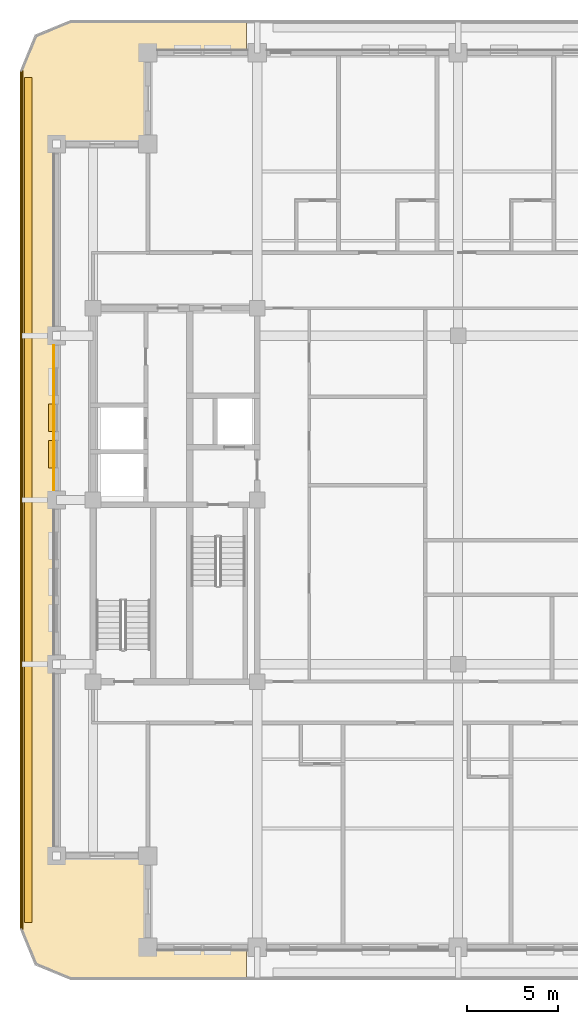
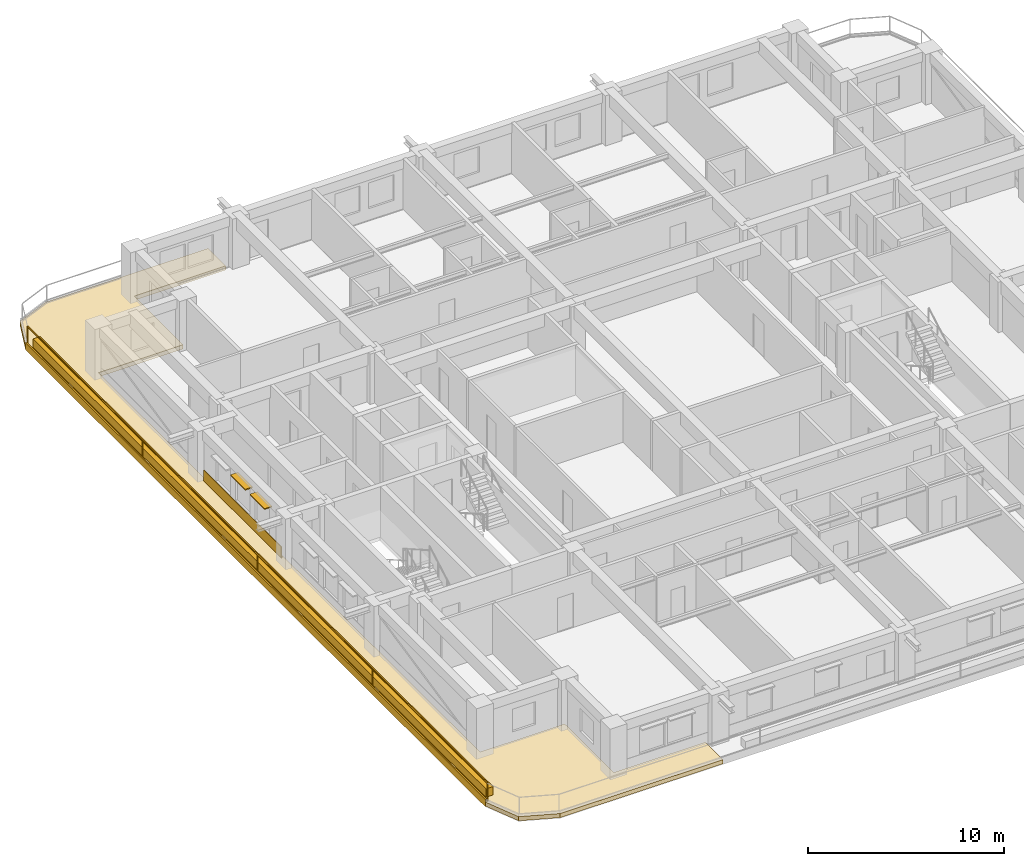
# One storey, part 10 of 14: 4 coverings, 2 shading devices, 1 railing.
"""IFC4 building model written with IfcOpenShell, lengths in metres."""

from ifc_helpers import new_model, si_unit, direction, frame, frame_2d, origin, origin_2d, place, context, subcontext, project, spatial, polyline, rectangle, outline, extrude, material, layer, layer_set, type_object, element, save


model = new_model("IFC4")

# Units and contexts
model_context = context("Model", 3, precision=1e-05, world=origin(), true_north=direction((0.0, 1.0)))
body_context = subcontext(model_context, "Body", "Model", "MODEL_VIEW")
ifc_project = project(units=[si_unit("LENGTHUNIT", "METRE"), si_unit("AREAUNIT", "SQUARE_METRE"), si_unit("VOLUMEUNIT", "CUBIC_METRE"), si_unit("PLANEANGLEUNIT", "RADIAN"), si_unit("MASSUNIT", "GRAM", prefix="KILO")], contexts=[model_context])

# Site, building, storey
site_placement = place(None, origin())
site = spatial("IfcSite", under=ifc_project, at=site_placement, CompositionType="ELEMENT")
building_placement = place(site_placement, origin())
building = spatial("IfcBuilding", under=site, at=building_placement, Name="Zulmaris Gate Convention Tower", CompositionType="ELEMENT")
storey_placement = place(building_placement, frame((0.0, 0.0, 179.659912109375)))
storey = spatial("IfcBuildingStorey", under=building, at=storey_placement, Name="L46", CompositionType="ELEMENT", Elevation=179.659912109375)

# Coverings
ifc_material_1 = material(Name="Precast concrete C40/50", Category="concrete")
ifc_layer_1 = layer(ifc_material_1, 0.0400390625, Name="Precast concrete C40/50")
ifc_layer_set_1 = layer_set([ifc_layer_1], Name="Precast concrete C40/50")
covering_type_1 = type_object("IfcCoveringType", Name="CLAD-SPANDREL-PRECAST", PredefinedType="CLADDING", material=ifc_layer_set_1)
covering_1_placement = place(storey_placement, frame((-22.14990234375, 8.469970703125, 0.0), z_axis=(0.0, 0.0, 1.0), x_axis=(0.0, -1.0, 0.0)))
element("IfcCovering", 1, at=covering_1_placement, inside=storey, type_object=covering_type_1, Name="CLD-L46-W-2_0", PredefinedType="CLADDING", context=body_context, shape_type="SweptSolid", body=[
    extrude(rectangle(XDim=7.93994140625, YDim=0.0400390625, at=frame_2d((3.969970703125, 0.0))), origin(), (0.0, 0.0, 1.0), 0.679931640625),
])
ifc_material_2 = material(Name="White Glazed Architectural Precast Concrete C40/50", Category="concrete")
ifc_layer_2 = layer(ifc_material_2, 0.239990234375, Name="White Glazed Architectural Precast Concrete C40/50")
ifc_layer_set_2 = layer_set([ifc_layer_2], Name="White Glazed Architectural Precast Concrete C40/50")
covering_type_2 = type_object("IfcCoveringType", Name="CLAD-TRAY-DECK", PredefinedType="CLADDING", material=ifc_layer_set_2)
covering_2_placement = place(storey_placement, frame((0.0, 0.0, -0.27490234375)))
element("IfcCovering", 2, at=covering_2_placement, inside=storey, type_object=covering_type_2, Name="L46 West Rounded-Fascia Planter Tray Deck", PredefinedType="CLADDING", context=body_context, shape_type="SweptSolid", body=[
    extrude(outline(polyline([(-24.0, 23.5), (-23.179931640625, 25.47998046875), (-21.199951171875, 26.300048828125), (-11.60205078125, 26.300048828125), (-11.60205078125, 24.5), (-17.0, 24.5), (-17.0, 19.5), (-22.0, 19.5), (-22.0, -19.5), (-17.0, -19.5), (-17.0, -24.5), (-11.60205078125, -24.5), (-11.60205078125, -26.300048828125), (-21.199951171875, -26.300048828125), (-23.179931640625, -25.47998046875), (-24.0, -23.5), (-24.0, 23.5)])), origin(), (0.0, 0.0, 1.0), 0.260009765625),
])
ifc_layer_3 = layer(ifc_material_2, 0.080078125, Name="White Glazed Architectural Precast Concrete C40/50")
ifc_layer_set_3 = layer_set([ifc_layer_3], Name="White Glazed Architectural Precast Concrete C40/50")
covering_type_3 = type_object("IfcCoveringType", Name="CLAD-TRAY-FASCIA", PredefinedType="CLADDING", material=ifc_layer_set_3)
covering_3_placement = place(storey_placement, frame((-23.9599609375, 23.5, -0.31494140625), z_axis=(0.0, 0.0, 1.0), x_axis=(0.0, -1.0, 0.0)))
element("IfcCovering", 3, at=covering_3_placement, inside=storey, type_object=covering_type_3, Name="FSC-L46-TR-11", PredefinedType="CLADDING", context=body_context, shape_type="SweptSolid", body=[
    extrude(rectangle(XDim=47.0, YDim=0.080078125, at=frame_2d((23.5, 0.0))), origin(), (0.0, 0.0, 1.0), 0.4599609375),
])
ifc_material_3 = material(Name="Botanical Green Glazed Precast Concrete C40/50", Category="concrete")
ifc_layer_4 = layer(ifc_material_3, 0.419921875, Name="Botanical Green Glazed Precast Concrete C40/50")
ifc_layer_set_4 = layer_set([ifc_layer_4], Name="Botanical Green Glazed Precast Concrete C40/50")
covering_type_4 = type_object("IfcCoveringType", Name="PLANTER-BOX-200", PredefinedType="CLADDING", material=ifc_layer_set_4)
covering_4_placement = place(storey_placement, frame((0.0, 0.0, -0.014892578125)))
element("IfcCovering", 4, at=covering_4_placement, inside=storey, type_object=covering_type_4, Name="L46 W Full-Length Balcony Tree Planter Trough", PredefinedType="CLADDING", context=body_context, shape_type="SweptSolid", body=[
    extrude(outline(polyline([(-23.760009765625, -23.14990234375), (-23.340087890625, -23.14990234375), (-23.340087890625, 23.14990234375), (-23.760009765625, 23.14990234375), (-23.760009765625, -23.14990234375)])), origin(), (0.0, 0.0, 1.0), 0.519775390625),
])

# Railing
ifc_material_4 = material(Name="Laminated Glass and Stainless Steel", Category="steel")
railing_type = type_object("IfcRailingType", Name="RL-BALC-1150", PredefinedType="BALUSTRADE", material=ifc_material_4)
railing_placement = place(storey_placement, frame((-23.8798828125, 23.5, -0.014892578125)))
element("IfcRailing", 5, at=railing_placement, inside=storey, type_object=railing_type, Name="RL-L46-BALC-W", PredefinedType="BALUSTRADE", context=body_context, shape_type="SweptSolid", body=[
    extrude(rectangle(XDim=0.048095703125, YDim=0.048095703125, at=origin_2d()), frame((0.0, 0.0, 1.1259765625), z_axis=(0.0, -1.0, 0.0), x_axis=(1.0, 0.0, 0.0)), (0.0, 0.0, 1.0), 47.0),
    extrude(rectangle(XDim=0.048095703125, YDim=0.048095703125, at=origin_2d()), frame((0.0, 0.0, 0.02392578125), z_axis=(0.0, -1.0, 0.0), x_axis=(1.0, 0.0, 0.0)), (0.0, 0.0, 1.0), 47.0),
    extrude(rectangle(XDim=0.0419921875, YDim=0.0419921875, at=origin_2d()), origin(), (0.0, 0.0, 1.0), 1.101806640625),
    extrude(rectangle(XDim=0.0419921875, YDim=0.0419921875, at=origin_2d()), frame((0.0, -11.75, 0.0)), (0.0, 0.0, 1.0), 1.101806640625),
    extrude(rectangle(XDim=0.0419921875, YDim=0.0419921875, at=origin_2d()), frame((0.0, -23.5, 0.0)), (0.0, 0.0, 1.0), 1.101806640625),
    extrude(rectangle(XDim=0.0419921875, YDim=0.0419921875, at=origin_2d()), frame((0.0, -35.25, 0.0)), (0.0, 0.0, 1.0), 1.101806640625),
    extrude(rectangle(XDim=0.0419921875, YDim=0.0419921875, at=origin_2d()), frame((0.0, -47.0, 0.0)), (0.0, 0.0, 1.0), 1.101806640625),
])

# Shading devices
ifc_material_5 = material(Name="Glazed Ceramic Terracotta", Category="masonry")
ifc_layer_5 = layer(ifc_material_5, 0.070068359375, Name="Glazed Ceramic Terracotta")
ifc_layer_set_5 = layer_set([ifc_layer_5], Name="Glazed Ceramic Terracotta")
shading_device_type = type_object("IfcShadingDeviceType", Name="SHD-SUNSHADE-TC", PredefinedType="AWNING", material=ifc_layer_set_5)
for number, where, z_axis, x_axis, name in (
    (6, (-22.219970703125, 5.25, 2.35009765625), (0.0, 0.0, 1.0), (0.0, -1.0, 0.0), "SHD-EW-L46-W-2_0-2"),
    (7, (-22.219970703125, 3.264892578125, 2.35009765625), (0.0, 0.0, 1.0), (0.0, -1.0, 0.0), "SHD-EW-L46-W-2_0-3"),
):
    element("IfcShadingDevice", number, at=place(storey_placement, frame(where, z_axis=z_axis, x_axis=x_axis)), inside=storey, type_object=shading_device_type, Name=name, PredefinedType="AWNING", context=body_context, shape_type="SweptSolid", body=[
        extrude(rectangle(XDim=1.5, YDim=0.43994140625, at=frame_2d((0.75, 0.0))), origin(), (0.0, 0.0, 1.0), 0.06982421875),
    ])

save(model, "model.ifc")
